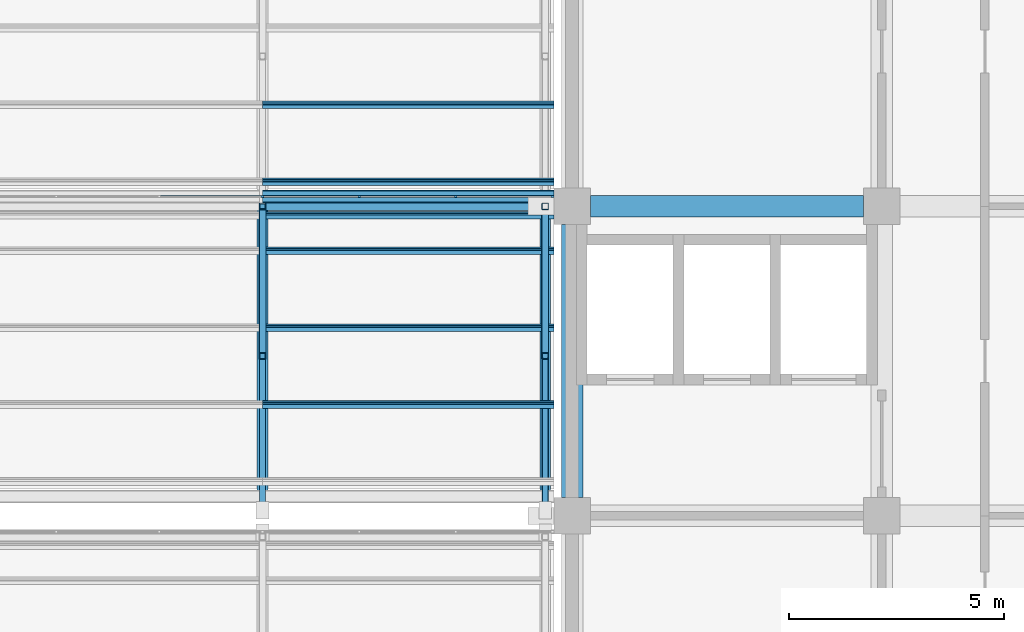
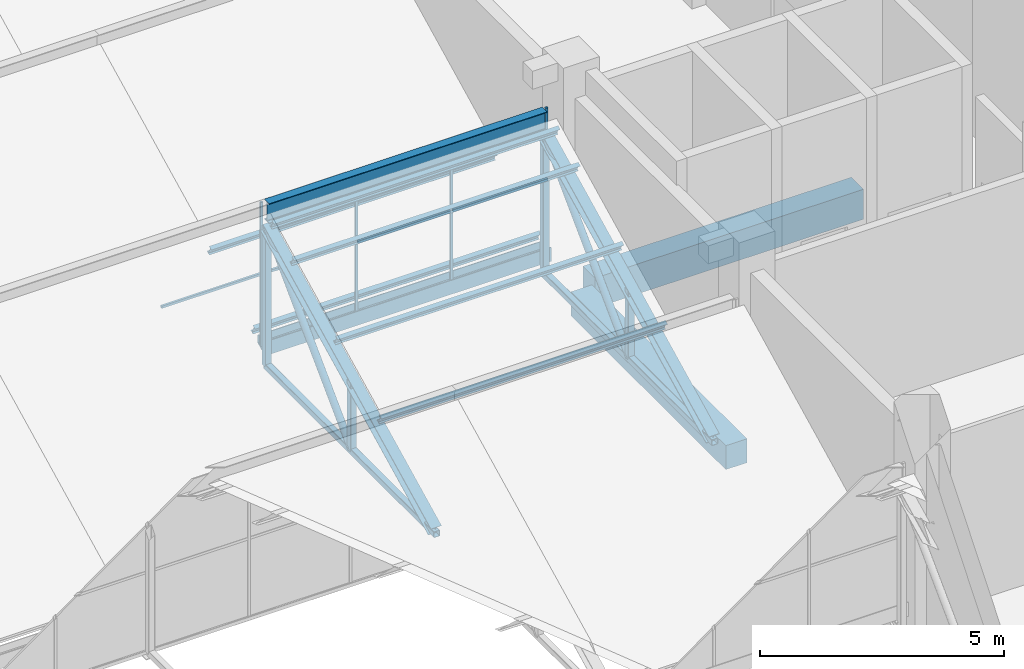
# One storey, part 48 of 83: 26 members, 2 beams, 2 elements without a shape of their own.
"""IFC4 building model written with IfcOpenShell, lengths in metres."""

from ifc_helpers import new_model, si_unit, direction, frame, origin, origin_2d, place, context, subcontext, project, spatial, polyline, rectangle, hollow_rectangle, hollow_circle, i_section, outline, extrude, material, material_profile, profile_set, type_object, element, aggregate, save


model = new_model("IFC4")

# Units and contexts
model_context = context("Model", 3, precision=1e-05, world=origin(), true_north=direction((0.0, 1.0)))
body_context = subcontext(model_context, "Body", "Model", "MODEL_VIEW")
ifc_project = project(units=[si_unit("LENGTHUNIT", "METRE"), si_unit("AREAUNIT", "SQUARE_METRE"), si_unit("VOLUMEUNIT", "CUBIC_METRE"), si_unit("PLANEANGLEUNIT", "RADIAN"), si_unit("MASSUNIT", "GRAM", prefix="KILO")], contexts=[model_context])

# Site, building, storey
site_placement = place(None, origin())
site = spatial("IfcSite", under=ifc_project, at=site_placement, CompositionType="ELEMENT")
building_placement = place(site_placement, origin())
building = spatial("IfcBuilding", under=site, at=building_placement, Name="Silangan Lancet Faculty of Sciences", CompositionType="ELEMENT")
storey_placement = place(building_placement, frame((0.0, 0.0, 11.39990234375)))
storey = spatial("IfcBuildingStorey", under=building, at=storey_placement, Name="L02", CompositionType="ELEMENT", Elevation=11.39990234375)

# Beams
ifc_material_1 = material(Name="Concrete C40/50", Category="concrete")
ifc_material_profile_1 = material_profile(ifc_material_1, rectangle(XDim=0.5, YDim=0.60009765625, at=origin_2d()), Name="RC 500x600")
ifc_profile_set_1 = profile_set([ifc_material_profile_1], Name="Concrete C40/50")
beam_type_1 = type_object("IfcBeamType", Name="BEAM RC 500x600", PredefinedType="BEAM", material=ifc_profile_set_1)
beam_1_placement = place(storey_placement, frame((72.0, 22.02490234375, -0.5498046875), z_axis=(0.0, 1.0, 0.0), x_axis=(-1.0, 0.0, 0.0)))
element("IfcBeam", 1, at=beam_1_placement, inside=storey, type_object=beam_type_1, Name="BM-L02-11D-11E", PredefinedType="BEAM", context=body_context, shape_type="SweptSolid", body=[
    extrude(rectangle(XDim=0.5, YDim=0.60009765625, at=origin_2d()), origin(), (0.0, 0.0, 1.0), 6.35009765625),
])
ifc_material_2 = material(Name="Concrete C40/50", Category="concrete")
ifc_material_profile_2 = material_profile(ifc_material_2, rectangle(XDim=0.5, YDim=0.75, at=origin_2d()), Name="RC 500x750")
ifc_profile_set_2 = profile_set([ifc_material_profile_2], Name="Concrete C40/50")
beam_type_2 = type_object("IfcBeamType", Name="BEAM RC 500x750", PredefinedType="BEAM", material=ifc_profile_set_2)
beam_2_placement = place(storey_placement, frame((72.425048828125, 28.800048828125, -0.625), z_axis=(1.0, 0.0, 0.0), x_axis=(0.0, 1.0, 0.0)))
element("IfcBeam", 2, at=beam_2_placement, inside=storey, type_object=beam_type_2, Name="BM-L02-11E-12E", PredefinedType="BEAM", context=body_context, shape_type="SweptSolid", body=[
    extrude(rectangle(XDim=0.5, YDim=0.75, at=origin_2d()), origin(), (0.0, 0.0, 1.0), 6.349853515625),
])

# Member
ifc_material_3 = material(Name="Steel SS400", Category="steel")
ifc_material_profile_3 = material_profile(ifc_material_3, i_section(OverallWidth=0.199951171875, OverallDepth=0.5, WebThickness=0.010009765625, FlangeThickness=0.01611328125, FilletRadius=0.02001953125, at=origin_2d()), Name="H 500x200x10x16")
ifc_profile_set_3 = profile_set([ifc_material_profile_3], Name="Steel SS400")
member_type_1 = type_object("IfcMemberType", Name="Exposed ridge beam H 500x200x10x16", PredefinedType="MEMBER", material=ifc_profile_set_3)
member_1_placement = place(storey_placement, frame((64.800048828125, 28.800048828125, 3.93701171875), z_axis=(1.0, 0.0, 0.0), x_axis=(0.0, 1.0, 0.0)))
element("IfcMember", 3, at=member_1_placement, inside=storey, type_object=member_type_1, Name="Exposed ridge beam AUD-1-3", PredefinedType="MEMBER", context=body_context, shape_type="SweptSolid", body=[
    extrude(i_section(OverallWidth=0.199951171875, OverallDepth=0.5, WebThickness=0.010009765625, FlangeThickness=0.01611328125, FilletRadius=0.02001953125, at=origin_2d()), origin(), (0.0, 0.0, 1.0), 6.574951171875),
])

# Curtain wall, members
ifc_material_4 = material(Name="Aluminium and laminated glass", Category="aluminium")
curtain_wall_type = type_object("IfcCurtainWallType", Name="North light glazing system", PredefinedType="NOTDEFINED", material=ifc_material_4)
curtain_wall_1_placement = place(storey_placement, origin())
curtain_wall_1 = element("IfcCurtainWall", 4, at=curtain_wall_1_placement, inside=storey, type_object=curtain_wall_type, Name="North light glazing AUD-1-3", PredefinedType="NOTDEFINED")
ifc_material_5 = material(Name="Aluminium 6063-T6", Category="aluminium")
ifc_material_profile_4 = material_profile(ifc_material_5, rectangle(XDim=0.06005859375, YDim=0.050048828125, at=origin_2d()), Name="AL 60x50")
ifc_profile_set_4 = profile_set([ifc_material_profile_4], Name="Aluminium 6063-T6")
member_type_2 = type_object("IfcMemberType", Name="North light mullion 60x50", PredefinedType="MULLION", material=ifc_profile_set_4)
member_2_placement = place(storey_placement, frame((64.800048828125, 29.02490234375, 0.4423828125), z_axis=(0.0, 0.0, 1.0), x_axis=(1.0, 0.0, 0.0)))
member_2 = element("IfcMember", 5, at=member_2_placement, type_object=member_type_2, Name="North light mullion AUD-1-3 1", PredefinedType="MULLION", context=body_context, shape_type="SweptSolid", body=[
    extrude(rectangle(XDim=0.06005859375, YDim=0.050048828125, at=origin_2d()), origin(), (0.0, 0.0, 1.0), 3.60205078125),
])
member_3_placement = place(storey_placement, frame((67.04833984375, 29.02490234375, 0.4423828125), z_axis=(0.0, 0.0, 1.0), x_axis=(1.0, 0.0, 0.0)))
member_3 = element("IfcMember", 6, at=member_3_placement, type_object=member_type_2, Name="North light mullion AUD-1-3 2", PredefinedType="MULLION", context=body_context, shape_type="SweptSolid", body=[
    extrude(rectangle(XDim=0.06005859375, YDim=0.050048828125, at=origin_2d()), origin(), (0.0, 0.0, 1.0), 3.60205078125),
])
member_4_placement = place(storey_placement, frame((69.296630859375, 29.02490234375, 0.4423828125), z_axis=(0.0, 0.0, 1.0), x_axis=(1.0, 0.0, 0.0)))
member_4 = element("IfcMember", 7, at=member_4_placement, type_object=member_type_2, Name="North light mullion AUD-1-3 3", PredefinedType="MULLION", context=body_context, shape_type="SweptSolid", body=[
    extrude(rectangle(XDim=0.06005859375, YDim=0.050048828125, at=origin_2d()), origin(), (0.0, 0.0, 1.0), 3.60205078125),
])
member_5_placement = place(storey_placement, frame((71.544921875, 29.02490234375, 0.4423828125), z_axis=(0.0, 0.0, 1.0), x_axis=(1.0, 0.0, 0.0)))
member_5 = element("IfcMember", 8, at=member_5_placement, type_object=member_type_2, Name="North light mullion AUD-1-3 4", PredefinedType="MULLION", context=body_context, shape_type="SweptSolid", body=[
    extrude(rectangle(XDim=0.06005859375, YDim=0.050048828125, at=origin_2d()), origin(), (0.0, 0.0, 1.0), 3.60205078125),
])

# Curtain wall, member
curtain_wall_2_placement = place(storey_placement, origin())
curtain_wall_2 = element("IfcCurtainWall", 9, at=curtain_wall_2_placement, inside=storey, type_object=curtain_wall_type, Name="North light glazing AUD-1-2", PredefinedType="NOTDEFINED")
ifc_material_6 = material(Name="Aluminium 6063-T6", Category="aluminium")
ifc_material_profile_5 = material_profile(ifc_material_6, rectangle(XDim=0.050048828125, YDim=0.06005859375, at=origin_2d()), Name="AL 50x60")
ifc_profile_set_5 = profile_set([ifc_material_profile_5], Name="Aluminium 6063-T6")
member_type_3 = type_object("IfcMemberType", Name="North light transom 50x60", PredefinedType="USERDEFINED", material=ifc_profile_set_5)
member_6_placement = place(storey_placement, frame((62.429931640625, 29.02490234375, 2.243408203125), z_axis=(1.0, 0.0, 0.0), x_axis=(0.0, 1.0, 0.0)))
member_6 = element("IfcMember", 10, at=member_6_placement, type_object=member_type_3, Name="North light transom AUD-1-2 3", ObjectType="TRANSOM", PredefinedType="USERDEFINED", context=body_context, shape_type="SweptSolid", body=[
    extrude(rectangle(XDim=0.050048828125, YDim=0.06005859375, at=origin_2d()), origin(), (0.0, 0.0, 1.0), 2.340087890625),
])
aggregate(curtain_wall_2, [member_6])

# Member
member_7_placement = place(storey_placement, frame((64.830078125, 29.02490234375, 2.243408203125), z_axis=(1.0, 0.0, 0.0), x_axis=(0.0, 1.0, 0.0)))
member_7 = element("IfcMember", 11, at=member_7_placement, type_object=member_type_3, Name="North light transom AUD-1-3 1", ObjectType="TRANSOM", PredefinedType="USERDEFINED", context=body_context, shape_type="SweptSolid", body=[
    extrude(rectangle(XDim=0.050048828125, YDim=0.06005859375, at=origin_2d()), origin(), (0.0, 0.0, 1.0), 2.188232421875),
])

member_8_placement = place(storey_placement, frame((67.078369140625, 29.02490234375, 2.243408203125), z_axis=(1.0, 0.0, 0.0), x_axis=(0.0, 1.0, 0.0)))
member_8 = element("IfcMember", 12, at=member_8_placement, type_object=member_type_3, Name="North light transom AUD-1-3 2", ObjectType="TRANSOM", PredefinedType="USERDEFINED", context=body_context, shape_type="SweptSolid", body=[
    extrude(rectangle(XDim=0.050048828125, YDim=0.06005859375, at=origin_2d()), origin(), (0.0, 0.0, 1.0), 2.188232421875),
])

member_9_placement = place(storey_placement, frame((69.32666015625, 29.02490234375, 2.243408203125), z_axis=(1.0, 0.0, 0.0), x_axis=(0.0, 1.0, 0.0)))
member_9 = element("IfcMember", 13, at=member_9_placement, type_object=member_type_3, Name="North light transom AUD-1-3 3", ObjectType="TRANSOM", PredefinedType="USERDEFINED", context=body_context, shape_type="SweptSolid", body=[
    extrude(rectangle(XDim=0.050048828125, YDim=0.06005859375, at=origin_2d()), origin(), (0.0, 0.0, 1.0), 2.248291015625),
])

aggregate(curtain_wall_1, [member_2, member_3, member_4, member_5, member_7, member_8, member_9])

# Members
ifc_material_7 = material(Name="Steel SS400", Category="steel")
ifc_material_profile_6 = material_profile(ifc_material_7, i_section(OverallWidth=0.10009765625, OverallDepth=0.199951171875, WebThickness=0.005615234375, FlangeThickness=0.008056640625, FilletRadius=0.008056640625, at=origin_2d()), Name="H 200x100x5.5x8")
ifc_profile_set_6 = profile_set([ifc_material_profile_6], Name="Steel SS400")
member_type_4 = type_object("IfcMemberType", Name="Sheeting purlin H 200x100x5.5x8", PredefinedType="PURLIN", material=ifc_profile_set_6)
for number, where, z_axis, x_axis, name in (
    (14, (64.800048828125, 24.189208984375, 1.526123046875), (1.0, 0.0, 0.0), (0.0, 0.894427192382, 0.447213592736), "Sheeting purlin AUD-1-3 2"),
    (15, (64.800048828125, 25.977783203125, 2.420654296875), (1.0, 0.0, 0.0), (0.0, 0.894427192382, 0.447213592736), "Sheeting purlin AUD-1-3 3"),
    (16, (64.800048828125, 27.766845703125, 3.31494140625), (1.0, 0.0, 0.0), (0.0, 0.894427192382, 0.447213592736), "Sheeting purlin AUD-1-3 4"),
    (17, (64.800048828125, 28.592041015625, 3.727783203125), (1.0, 0.0, 0.0), (0.0, 0.894427192382, 0.447213592736), "Sheeting purlin AUD-1-3 5"),
    (18, (64.800048828125, 29.3701171875, 0.6318359375), (1.0, 0.0, 0.0), (0.0, 0.894427192382, 0.447213592736), "Sheeting purlin AUD-2-3 1"),
    (19, (64.800048828125, 31.1591796875, 1.526123046875), (1.0, 0.0, 0.0), (0.0, 0.894427192382, 0.447213592736), "Sheeting purlin AUD-2-3 2"),
):
    element("IfcMember", number, at=place(storey_placement, frame(where, z_axis=z_axis, x_axis=x_axis)), inside=storey, type_object=member_type_4, Name=name, PredefinedType="PURLIN", context=body_context, shape_type="SweptSolid", body=[
        extrude(i_section(OverallWidth=0.10009765625, OverallDepth=0.199951171875, WebThickness=0.005615234375, FlangeThickness=0.008056640625, FilletRadius=0.008056640625, at=origin_2d()), origin(), (0.0, 0.0, 1.0), 6.77490234375),
    ])
ifc_material_8 = material(Name="Steel STKR400", Category="steel")
ifc_material_profile_7 = material_profile(ifc_material_8, hollow_rectangle(XDim=0.14990234375, YDim=0.14990234375, WallThickness=0.009033203125, InnerFilletRadius=0.009033203125, OuterFilletRadius=0.01806640625, at=origin_2d()), Name="SHS 150x150x9.0")
ifc_profile_set_7 = profile_set([ifc_material_profile_7], Name="Steel STKR400")
member_type_5 = type_object("IfcMemberType", Name="Truss bottom chord SHS 150x150x9.0", PredefinedType="CHORD", material=ifc_profile_set_7)
for number, where, z_axis, x_axis, name in (
    (20, (64.800048828125, 21.830078125, 0.09521484375), (0.0, 1.0, 0.0), (-1.0, 0.0, 0.0), "Truss 3 bottom chord 1"),
    (21, (71.375, 21.830078125, 0.09521484375), (0.0, 1.0, 0.0), (-1.0, 0.0, 0.0), "Truss 4 bottom chord 1"),
):
    element("IfcMember", number, at=place(storey_placement, frame(where, z_axis=z_axis, x_axis=x_axis)), inside=storey, type_object=member_type_5, Name=name, PredefinedType="CHORD", context=body_context, shape_type="SweptSolid", body=[
        extrude(hollow_rectangle(XDim=0.14990234375, YDim=0.14990234375, WallThickness=0.009033203125, InnerFilletRadius=0.009033203125, OuterFilletRadius=0.01806640625, at=origin_2d()), origin(), (0.0, 0.0, 1.0), 6.969970703125),
    ])
ifc_material_9 = material(Name="Steel STK400", Category="steel")
ifc_material_profile_8 = material_profile(ifc_material_9, hollow_circle(Radius=0.08251953125, WallThickness=0.0048828125, at=origin_2d()), Name="CHS 165.2x5.0")
ifc_profile_set_8 = profile_set([ifc_material_profile_8], Name="Steel STK400")
member_type_6 = type_object("IfcMemberType", Name="Truss diagonal CHS 165.2x5.0", PredefinedType="BRACE", material=ifc_profile_set_8)
for number, where, z_axis, x_axis, name in (
    (22, (64.800048828125, 25.31494140625, 0.09521484375), (0.0, 0.707131548933, 0.707082012572), (-1.0, 0.0, 0.0), "Truss 3 diagonal 1"),
    (23, (71.375, 25.31494140625, 0.09521484375), (0.0, 0.707131548933, 0.707082012572), (-1.0, 0.0, 0.0), "Truss 4 diagonal 1"),
):
    element("IfcMember", number, at=place(storey_placement, frame(where, z_axis=z_axis, x_axis=x_axis)), inside=storey, type_object=member_type_6, Name=name, PredefinedType="BRACE", context=body_context, shape_type="SweptSolid", body=[
        extrude(hollow_circle(Radius=0.08251953125, WallThickness=0.0048828125, at=origin_2d()), origin(), (0.0, 0.0, 1.0), 4.928466796875),
    ])
ifc_material_10 = material(Name="Steel STKR400", Category="steel")
ifc_material_profile_9 = material_profile(ifc_material_10, hollow_rectangle(XDim=0.14990234375, YDim=0.14990234375, WallThickness=0.006103515625, InnerFilletRadius=0.006103515625, OuterFilletRadius=0.011962890625, at=origin_2d()), Name="SHS 150x150x6.0")
ifc_profile_set_9 = profile_set([ifc_material_profile_9], Name="Steel STKR400")
member_type_7 = type_object("IfcMemberType", Name="Truss post SHS 150x150x6.0", PredefinedType="POST", material=ifc_profile_set_9)
member_10_placement = place(storey_placement, frame((64.800048828125, 28.800048828125, 0.09521484375), z_axis=(0.0, 0.0, 1.0), x_axis=(1.0, 0.0, 0.0)))
element("IfcMember", 24, at=member_10_placement, inside=storey, type_object=member_type_7, Name="Truss 3 riser post 1", PredefinedType="POST", context=body_context, shape_type="SweptSolid", body=[
    extrude(hollow_rectangle(XDim=0.14990234375, YDim=0.14990234375, WallThickness=0.006103515625, InnerFilletRadius=0.006103515625, OuterFilletRadius=0.011962890625, at=origin_2d()), origin(), (0.0, 0.0, 1.0), 3.48486328125),
])
member_11_placement = place(storey_placement, frame((64.800048828125, 25.31494140625, 0.09521484375), z_axis=(0.0, 0.0, 1.0), x_axis=(1.0, 0.0, 0.0)))
element("IfcMember", 25, at=member_11_placement, inside=storey, type_object=member_type_7, Name="Truss 3 mid post 1", PredefinedType="POST", context=body_context, shape_type="SweptSolid", body=[
    extrude(hollow_rectangle(XDim=0.14990234375, YDim=0.14990234375, WallThickness=0.006103515625, InnerFilletRadius=0.006103515625, OuterFilletRadius=0.011962890625, at=origin_2d()), origin(), (0.0, 0.0, 1.0), 1.742431640625),
])
member_12_placement = place(storey_placement, frame((71.375, 28.800048828125, 0.09521484375), z_axis=(0.0, 0.0, 1.0), x_axis=(1.0, 0.0, 0.0)))
element("IfcMember", 26, at=member_12_placement, inside=storey, type_object=member_type_7, Name="Truss 4 riser post 1", PredefinedType="POST", context=body_context, shape_type="SweptSolid", body=[
    extrude(hollow_rectangle(XDim=0.14990234375, YDim=0.14990234375, WallThickness=0.006103515625, InnerFilletRadius=0.006103515625, OuterFilletRadius=0.011962890625, at=origin_2d()), origin(), (0.0, 0.0, 1.0), 3.48486328125),
])
member_13_placement = place(storey_placement, frame((71.375, 25.31494140625, 0.09521484375), z_axis=(0.0, 0.0, 1.0), x_axis=(1.0, 0.0, 0.0)))
element("IfcMember", 27, at=member_13_placement, inside=storey, type_object=member_type_7, Name="Truss 4 mid post 1", PredefinedType="POST", context=body_context, shape_type="SweptSolid", body=[
    extrude(hollow_rectangle(XDim=0.14990234375, YDim=0.14990234375, WallThickness=0.006103515625, InnerFilletRadius=0.006103515625, OuterFilletRadius=0.011962890625, at=origin_2d()), origin(), (0.0, 0.0, 1.0), 1.742431640625),
])
ifc_material_11 = material(Name="Steel SS400", Category="steel")
ifc_material_profile_10 = material_profile(ifc_material_11, i_section(OverallWidth=0.25, OverallDepth=0.25, WebThickness=0.009033203125, FlangeThickness=0.013916015625, FilletRadius=0.01611328125, at=origin_2d()), Name="H 250x250x9x14")
ifc_profile_set_10 = profile_set([ifc_material_profile_10], Name="Steel SS400")
member_type_8 = type_object("IfcMemberType", Name="Truss top chord H 250x250x9x14", PredefinedType="CHORD", material=ifc_profile_set_10)
for number, where, z_axis, x_axis, name in (
    (28, (64.800048828125, 21.910400390625, 0.13525390625), (0.0, 0.894427191, 0.4472135955), (-1.0, 0.0, 0.0), "Truss 3 top chord 1"),
    (29, (71.375, 21.910400390625, 0.13525390625), (0.0, 0.894427191, 0.4472135955), (-1.0, 0.0, 0.0), "Truss 4 top chord 1"),
):
    element("IfcMember", number, at=place(storey_placement, frame(where, z_axis=z_axis, x_axis=x_axis)), inside=storey, type_object=member_type_8, Name=name, PredefinedType="CHORD", context=body_context, shape_type="SweptSolid", body=[
        extrude(i_section(OverallWidth=0.25, OverallDepth=0.25, WebThickness=0.009033203125, FlangeThickness=0.013916015625, FilletRadius=0.01611328125, at=origin_2d()), origin(), (0.0, 0.0, 1.0), 7.702880859375),
    ])
ifc_material_12 = material(Name="Stainless steel", Category="steel")
ifc_material_profile_11 = material_profile(ifc_material_12, outline(polyline([(-0.14990234375, 0.0), (0.14990234375, 0.14990234375), (0.14990234375, 0.35009765625), (0.1298828125, 0.35009765625), (0.1298828125, 0.169921875), (-0.1298828125, 0.169921875), (-0.1298828125, 0.35009765625), (-0.14990234375, 0.35009765625), (-0.14990234375, 0.0)])), Name="valley gutter")
ifc_profile_set_11 = profile_set([ifc_material_profile_11], Name="Stainless steel")
member_type_9 = type_object("IfcMemberType", Name="Valley gutter 300 wide", PredefinedType="USERDEFINED", material=ifc_profile_set_11)
member_14_placement = place(storey_placement, frame((64.800048828125, 29.02490234375, 0.2724609375), z_axis=(1.0, 0.0, 0.0), x_axis=(0.0, 1.0, 0.0)))
element("IfcMember", 30, at=member_14_placement, inside=storey, type_object=member_type_9, Name="Valley gutter AUD-2-3", ObjectType="GUTTER", PredefinedType="USERDEFINED", context=body_context, shape_type="SweptSolid", body=[
    extrude(outline(polyline([(-0.14990234375, 0.0), (0.14990234375, 0.14990234375), (0.14990234375, 0.35009765625), (0.1298828125, 0.35009765625), (0.1298828125, 0.169921875), (-0.1298828125, 0.169921875), (-0.1298828125, 0.35009765625), (-0.14990234375, 0.35009765625), (-0.14990234375, 0.0)])), origin(), (0.0, 0.0, 1.0), 6.77490234375),
])

save(model, "model.ifc")
